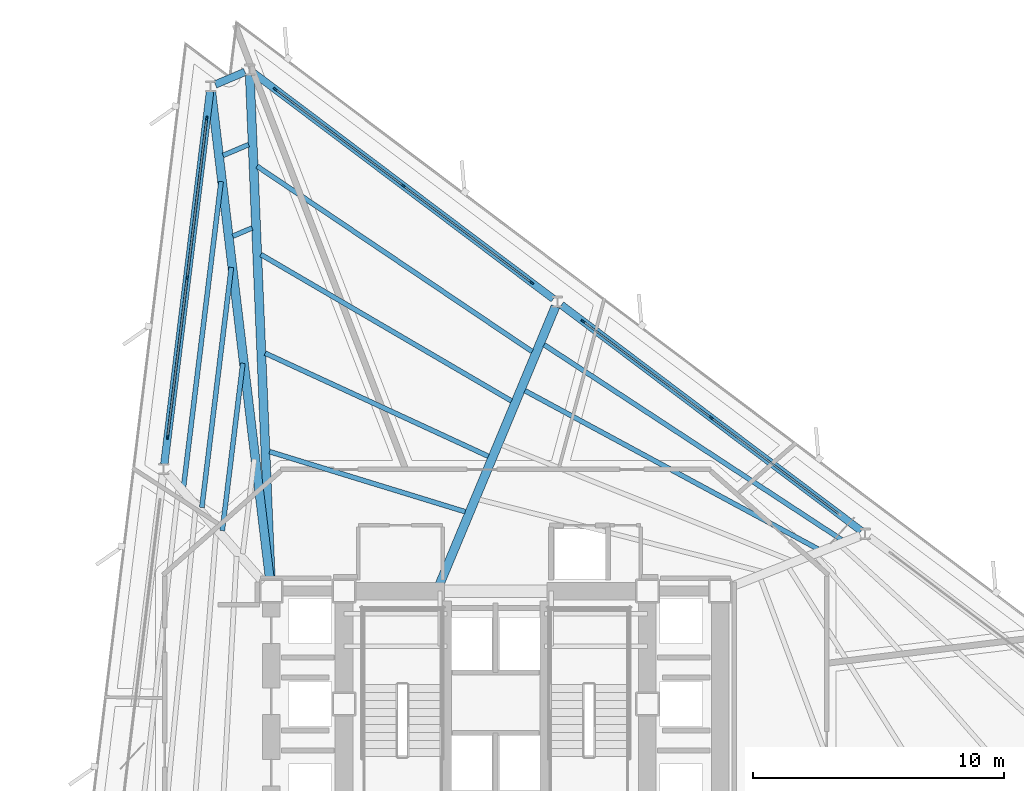
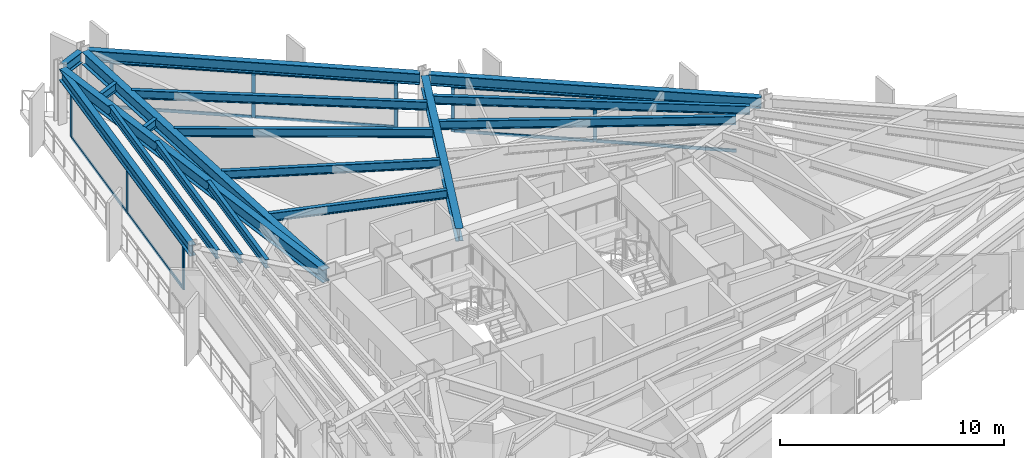
# One storey, part 5 of 13: 20 members, 18 beams, 3 elements without a shape of their own.
"""IFC4 building model written with IfcOpenShell, lengths in metres."""

from ifc_helpers import new_model, si_unit, direction, frame, origin, origin_2d, place, context, subcontext, project, spatial, rectangle, i_section, extrude, material, layer, layer_set, material_profile, profile_set, type_object, element, aggregate, save


model = new_model("IFC4")

# Units and contexts
model_context = context("Model", 3, precision=1e-05, world=origin(), true_north=direction((0.0, 1.0)))
body_context = subcontext(model_context, "Body", "Model", "MODEL_VIEW")
ifc_project = project(units=[si_unit("LENGTHUNIT", "METRE"), si_unit("AREAUNIT", "SQUARE_METRE"), si_unit("VOLUMEUNIT", "CUBIC_METRE"), si_unit("PLANEANGLEUNIT", "RADIAN"), si_unit("MASSUNIT", "GRAM", prefix="KILO")], contexts=[model_context])

# Site, building, storey
site_placement = place(None, origin())
site = spatial("IfcSite", under=ifc_project, at=site_placement, CompositionType="ELEMENT")
building_placement = place(site_placement, origin())
building = spatial("IfcBuilding", under=site, at=building_placement, Name="Rocaltana Carrier Exchange", CompositionType="ELEMENT")
storey_placement = place(building_placement, frame((0.0, 0.0, 63.0400390625)))
storey = spatial("IfcBuildingStorey", under=building, at=storey_placement, Name="L19", CompositionType="ELEMENT", Elevation=63.0400390625)

# Curtain wall, members
ifc_material_1 = material(Name="Aluminium 6063-T6", Category="aluminium")
ifc_layer = layer(ifc_material_1, 0.1650390625)
ifc_layer_set = layer_set([ifc_layer], Name="Aluminium 6063-T6")
curtain_wall_type = type_object("IfcCurtainWallType", Name="Lower-Mid Stepped Curtain Wall CW-02", PredefinedType="NOTDEFINED", material=ifc_layer_set)
curtain_wall_1_placement = place(storey_placement, origin())
curtain_wall_1 = element("IfcCurtainWall", 1, at=curtain_wall_1_placement, inside=storey, type_object=curtain_wall_type, Name="L19 CW-02 Run CW-L19-F1S2", PredefinedType="NOTDEFINED")
ifc_material_2 = material(Name="Aluminium 6063-T6", Category="aluminium")
ifc_material_profile_1 = material_profile(ifc_material_2, rectangle(XDim=0.06494140625, YDim=0.1650390625, at=origin_2d()), Name="AL-65X165")
ifc_profile_set_1 = profile_set([ifc_material_profile_1], Name="Aluminium 6063-T6")
member_type_1 = type_object("IfcMemberType", Name="CW-02 Mullion AL-65X165", PredefinedType="MULLION", material=ifc_profile_set_1)
member_1_placement = place(storey_placement, frame((8.59423828125, 11.405029296875, 0.0), z_axis=(0.0, 0.0, 1.0), x_axis=(-0.601815253533, -0.798635336443, 0.0)))
member_1 = element("IfcMember", 2, at=member_1_placement, type_object=member_type_1, Name="CW-02 mullion 2", PredefinedType="MULLION", context=body_context, shape_type="SweptSolid", body=[
    extrude(rectangle(XDim=0.06494140625, YDim=0.1650390625, at=origin_2d()), origin(), (0.0, 0.0, 1.0), 2.47802734375),
])
member_2_placement = place(storey_placement, frame((3.482421875, 15.257080078125, 0.0), z_axis=(0.0, 0.0, 1.0), x_axis=(-0.601815253533, -0.798635336443, 0.0)))
member_2 = element("IfcMember", 3, at=member_2_placement, type_object=member_type_1, Name="CW-02 mullion 3", PredefinedType="MULLION", context=body_context, shape_type="SweptSolid", body=[
    extrude(rectangle(XDim=0.06494140625, YDim=0.1650390625, at=origin_2d()), origin(), (0.0, 0.0, 1.0), 2.47802734375),
])

curtain_wall_2_placement = place(storey_placement, origin())
curtain_wall_2 = element("IfcCurtainWall", 4, at=curtain_wall_2_placement, inside=storey, type_object=curtain_wall_type, Name="L19 CW-02 Run CW-L19-F1S3", PredefinedType="NOTDEFINED")
member_3_placement = place(storey_placement, frame((1.433837890625, 16.80078125, 0.0), z_axis=(0.0, 0.0, 1.0), x_axis=(-0.601811518049, -0.79863815132, 0.0)))
member_3 = element("IfcMember", 5, at=member_3_placement, type_object=member_type_1, Name="CW-02 mullion 1", PredefinedType="MULLION", context=body_context, shape_type="SweptSolid", body=[
    extrude(rectangle(XDim=0.06494140625, YDim=0.1650390625, at=origin_2d()), origin(), (0.0, 0.0, 1.0), 2.47802734375),
])
member_4_placement = place(storey_placement, frame((-3.677978515625, 20.65283203125, 0.0), z_axis=(0.0, 0.0, 1.0), x_axis=(-0.601811518049, -0.79863815132, 0.0)))
member_4 = element("IfcMember", 6, at=member_4_placement, type_object=member_type_1, Name="CW-02 mullion 2", PredefinedType="MULLION", context=body_context, shape_type="SweptSolid", body=[
    extrude(rectangle(XDim=0.06494140625, YDim=0.1650390625, at=origin_2d()), origin(), (0.0, 0.0, 1.0), 2.47802734375),
])
member_5_placement = place(storey_placement, frame((-8.7900390625, 24.505126953125, 0.0), z_axis=(0.0, 0.0, 1.0), x_axis=(-0.601811518049, -0.79863815132, 0.0)))
member_5 = element("IfcMember", 7, at=member_5_placement, type_object=member_type_1, Name="CW-02 mullion 3", PredefinedType="MULLION", context=body_context, shape_type="SweptSolid", body=[
    extrude(rectangle(XDim=0.06494140625, YDim=0.1650390625, at=origin_2d()), origin(), (0.0, 0.0, 1.0), 2.47802734375),
])

curtain_wall_3_placement = place(storey_placement, origin())
curtain_wall_3 = element("IfcCurtainWall", 8, at=curtain_wall_3_placement, inside=storey, type_object=curtain_wall_type, Name="L19 CW-02 Run CW-L19-F2S1", PredefinedType="NOTDEFINED")
member_6_placement = place(storey_placement, frame((-11.521484375, 23.345703125, 0.0), z_axis=(0.0, 0.0, 1.0), x_axis=(0.992545748051, -0.121872630343, 0.0)))
member_6 = element("IfcMember", 9, at=member_6_placement, type_object=member_type_1, Name="CW-02 mullion 1", PredefinedType="MULLION", context=body_context, shape_type="SweptSolid", body=[
    extrude(rectangle(XDim=0.06494140625, YDim=0.1650390625, at=origin_2d()), origin(), (0.0, 0.0, 1.0), 2.47802734375),
])
member_7_placement = place(storey_placement, frame((-12.301513671875, 16.992431640625, 0.0), z_axis=(0.0, 0.0, 1.0), x_axis=(0.992545748051, -0.121872630343, 0.0)))
member_7 = element("IfcMember", 10, at=member_7_placement, type_object=member_type_1, Name="CW-02 mullion 2", PredefinedType="MULLION", context=body_context, shape_type="SweptSolid", body=[
    extrude(rectangle(XDim=0.06494140625, YDim=0.1650390625, at=origin_2d()), origin(), (0.0, 0.0, 1.0), 2.47802734375),
])
member_8_placement = place(storey_placement, frame((-13.08154296875, 10.639404296875, 0.0), z_axis=(0.0, 0.0, 1.0), x_axis=(0.992545748051, -0.121872630343, 0.0)))
member_8 = element("IfcMember", 11, at=member_8_placement, type_object=member_type_1, Name="CW-02 mullion 3", PredefinedType="MULLION", context=body_context, shape_type="SweptSolid", body=[
    extrude(rectangle(XDim=0.06494140625, YDim=0.1650390625, at=origin_2d()), origin(), (0.0, 0.0, 1.0), 2.47802734375),
])

# Member
ifc_material_3 = material(Name="Aluminium 6063-T6", Category="aluminium")
ifc_material_profile_2 = material_profile(ifc_material_3, rectangle(XDim=0.06494140625, YDim=0.1650390625, at=origin_2d()), Name="AL-65X165")
ifc_profile_set_2 = profile_set([ifc_material_profile_2], Name="Aluminium 6063-T6")
member_type_2 = type_object("IfcMemberType", Name="CW-02 Transom AL-65X165", PredefinedType="USERDEFINED", material=ifc_profile_set_2)
member_9_placement = place(storey_placement, frame((13.68017578125, 7.572509765625, 0.032470703125), z_axis=(-0.798624539829, 0.601829580847, 0.0), x_axis=(-0.601829580847, -0.798624539829, 0.0)))
member_9 = element("IfcMember", 12, at=member_9_placement, type_object=member_type_2, Name="CW-02 transom 1.1", ObjectType="TRANSOM", PredefinedType="USERDEFINED", context=body_context, shape_type="SweptSolid", body=[
    extrude(rectangle(XDim=0.06494140625, YDim=0.1650390625, at=origin_2d()), origin(), (0.0, 0.0, 1.0), 6.335693359375),
])

member_10_placement = place(storey_placement, frame((13.68017578125, 7.572509765625, 2.445556640625), z_axis=(-0.798624539829, 0.601829580847, 0.0), x_axis=(-0.601829580847, -0.798624539829, 0.0)))
member_10 = element("IfcMember", 13, at=member_10_placement, type_object=member_type_2, Name="CW-02 transom 1.2", ObjectType="TRANSOM", PredefinedType="USERDEFINED", context=body_context, shape_type="SweptSolid", body=[
    extrude(rectangle(XDim=0.06494140625, YDim=0.1650390625, at=origin_2d()), origin(), (0.0, 0.0, 1.0), 6.335693359375),
])

member_11_placement = place(storey_placement, frame((8.568359375, 11.424560546875, 0.032470703125), z_axis=(-0.798638496284, 0.601811060261, 0.0), x_axis=(-0.601811060261, -0.798638496284, 0.0)))
member_11 = element("IfcMember", 14, at=member_11_placement, type_object=member_type_2, Name="CW-02 transom 2.1", ObjectType="TRANSOM", PredefinedType="USERDEFINED", context=body_context, shape_type="SweptSolid", body=[
    extrude(rectangle(XDim=0.06494140625, YDim=0.1650390625, at=origin_2d()), origin(), (0.0, 0.0, 1.0), 6.3359375),
])

member_12_placement = place(storey_placement, frame((8.568359375, 11.424560546875, 2.445556640625), z_axis=(-0.798638496284, 0.601811060261, 0.0), x_axis=(-0.601811060261, -0.798638496284, 0.0)))
member_12 = element("IfcMember", 15, at=member_12_placement, type_object=member_type_2, Name="CW-02 transom 2.2", ObjectType="TRANSOM", PredefinedType="USERDEFINED", context=body_context, shape_type="SweptSolid", body=[
    extrude(rectangle(XDim=0.06494140625, YDim=0.1650390625, at=origin_2d()), origin(), (0.0, 0.0, 1.0), 6.3359375),
])

aggregate(curtain_wall_1, [member_1, member_2, member_9, member_10, member_11, member_12])

member_13_placement = place(storey_placement, frame((1.407958984375, 16.8203125, 0.032470703125), z_axis=(-0.798638496284, 0.601811060261, 0.0), x_axis=(-0.601811060261, -0.798638496284, 0.0)))
member_13 = element("IfcMember", 16, at=member_13_placement, type_object=member_type_2, Name="CW-02 transom 1.1", ObjectType="TRANSOM", PredefinedType="USERDEFINED", context=body_context, shape_type="SweptSolid", body=[
    extrude(rectangle(XDim=0.06494140625, YDim=0.1650390625, at=origin_2d()), origin(), (0.0, 0.0, 1.0), 6.3359375),
])

member_14_placement = place(storey_placement, frame((1.407958984375, 16.8203125, 2.445556640625), z_axis=(-0.798638496284, 0.601811060261, 0.0), x_axis=(-0.601811060261, -0.798638496284, 0.0)))
member_14 = element("IfcMember", 17, at=member_14_placement, type_object=member_type_2, Name="CW-02 transom 1.2", ObjectType="TRANSOM", PredefinedType="USERDEFINED", context=body_context, shape_type="SweptSolid", body=[
    extrude(rectangle(XDim=0.06494140625, YDim=0.1650390625, at=origin_2d()), origin(), (0.0, 0.0, 1.0), 6.3359375),
])

member_15_placement = place(storey_placement, frame((-3.703857421875, 20.672607421875, 0.032470703125), z_axis=(-0.798638496284, 0.601811060261, 0.0), x_axis=(-0.601811060261, -0.798638496284, 0.0)))
member_15 = element("IfcMember", 18, at=member_15_placement, type_object=member_type_2, Name="CW-02 transom 2.1", ObjectType="TRANSOM", PredefinedType="USERDEFINED", context=body_context, shape_type="SweptSolid", body=[
    extrude(rectangle(XDim=0.06494140625, YDim=0.1650390625, at=origin_2d()), origin(), (0.0, 0.0, 1.0), 6.3359375),
])

member_16_placement = place(storey_placement, frame((-3.703857421875, 20.672607421875, 2.445556640625), z_axis=(-0.798638496284, 0.601811060261, 0.0), x_axis=(-0.601811060261, -0.798638496284, 0.0)))
member_16 = element("IfcMember", 19, at=member_16_placement, type_object=member_type_2, Name="CW-02 transom 2.2", ObjectType="TRANSOM", PredefinedType="USERDEFINED", context=body_context, shape_type="SweptSolid", body=[
    extrude(rectangle(XDim=0.06494140625, YDim=0.1650390625, at=origin_2d()), origin(), (0.0, 0.0, 1.0), 6.3359375),
])

aggregate(curtain_wall_2, [member_3, member_4, member_5, member_13, member_14, member_15, member_16])

member_17_placement = place(storey_placement, frame((-11.525390625, 23.3134765625, 0.032470703125), z_axis=(-0.12187665048, -0.992545254418, 0.0), x_axis=(0.992545254418, -0.12187665048, 0.0)))
member_17 = element("IfcMember", 20, at=member_17_placement, type_object=member_type_2, Name="CW-02 transom 1.1", ObjectType="TRANSOM", PredefinedType="USERDEFINED", context=body_context, shape_type="SweptSolid", body=[
    extrude(rectangle(XDim=0.06494140625, YDim=0.1650390625, at=origin_2d()), origin(), (0.0, 0.0, 1.0), 6.3359375),
])

member_18_placement = place(storey_placement, frame((-11.525390625, 23.3134765625, 2.445556640625), z_axis=(-0.12187665048, -0.992545254418, 0.0), x_axis=(0.992545254418, -0.12187665048, 0.0)))
member_18 = element("IfcMember", 21, at=member_18_placement, type_object=member_type_2, Name="CW-02 transom 1.2", ObjectType="TRANSOM", PredefinedType="USERDEFINED", context=body_context, shape_type="SweptSolid", body=[
    extrude(rectangle(XDim=0.06494140625, YDim=0.1650390625, at=origin_2d()), origin(), (0.0, 0.0, 1.0), 6.3359375),
])

member_19_placement = place(storey_placement, frame((-12.305419921875, 16.960205078125, 0.032470703125), z_axis=(-0.121881311797, -0.992544682034, 0.0), x_axis=(0.992544682034, -0.121881311797, 0.0)))
member_19 = element("IfcMember", 22, at=member_19_placement, type_object=member_type_2, Name="CW-02 transom 2.1", ObjectType="TRANSOM", PredefinedType="USERDEFINED", context=body_context, shape_type="SweptSolid", body=[
    extrude(rectangle(XDim=0.06494140625, YDim=0.1650390625, at=origin_2d()), origin(), (0.0, 0.0, 1.0), 6.335693359375),
])

member_20_placement = place(storey_placement, frame((-12.305419921875, 16.960205078125, 2.445556640625), z_axis=(-0.121881311797, -0.992544682034, 0.0), x_axis=(0.992544682034, -0.121881311797, 0.0)))
member_20 = element("IfcMember", 23, at=member_20_placement, type_object=member_type_2, Name="CW-02 transom 2.2", ObjectType="TRANSOM", PredefinedType="USERDEFINED", context=body_context, shape_type="SweptSolid", body=[
    extrude(rectangle(XDim=0.06494140625, YDim=0.1650390625, at=origin_2d()), origin(), (0.0, 0.0, 1.0), 6.335693359375),
])

aggregate(curtain_wall_3, [member_6, member_7, member_8, member_17, member_18, member_19, member_20])

# Beams
ifc_material_4 = material(Name="Steel S355", Category="steel")
ifc_material_profile_3 = material_profile(ifc_material_4, i_section(OverallWidth=0.193115234375, OverallDepth=0.466064453125, WebThickness=0.011474609375, FlangeThickness=0.01904296875, FilletRadius=0.013916015625, at=origin_2d()), Name="W18X65")
ifc_profile_set_3 = profile_set([ifc_material_profile_3], Name="Steel S355")
beam_type_1 = type_object("IfcBeamType", Name="Floor Joist W18X65", PredefinedType="JOIST", material=ifc_profile_set_3)
beam_1_placement = place(storey_placement, frame((12.845458984375, 6.17822265625, 2.864990234375), z_axis=(-0.879782188298, 0.475377009493, 0.0), x_axis=(-0.475377009493, -0.879782188298, 0.0)))
element("IfcBeam", 24, at=beam_1_placement, inside=storey, type_object=beam_type_1, Name="FJ-L19-02-3", PredefinedType="JOIST", context=body_context, shape_type="SweptSolid", body=[
    extrude(i_section(OverallWidth=0.193115234375, OverallDepth=0.466064453125, WebThickness=0.011474609375, FlangeThickness=0.01904296875, FilletRadius=0.013916015625, at=origin_2d()), origin(), (0.0, 0.0, 1.0), 13.27490234375),
])
beam_2_placement = place(storey_placement, frame((13.77783203125, 6.5556640625, 2.864990234375), z_axis=(-0.836404193047, 0.548113150593, 0.0), x_axis=(-0.548113150593, -0.836404193047, 0.0)))
element("IfcBeam", 25, at=beam_2_placement, inside=storey, type_object=beam_type_1, Name="FJ-L19-02-4", PredefinedType="JOIST", context=body_context, shape_type="SweptSolid", body=[
    extrude(i_section(OverallWidth=0.193115234375, OverallDepth=0.466064453125, WebThickness=0.011474609375, FlangeThickness=0.01904296875, FilletRadius=0.013916015625, at=origin_2d()), origin(), (0.0, 0.0, 1.0), 14.1669921875),
])
beam_3_placement = place(storey_placement, frame((-1.2158203125, 7.6630859375, 2.864990234375), z_axis=(-0.955945046832, 0.293545682028, 0.0), x_axis=(-0.293545682028, -0.955945046832, 0.0)))
element("IfcBeam", 26, at=beam_3_placement, inside=storey, type_object=beam_type_1, Name="FJ-L19-03-1", PredefinedType="JOIST", context=body_context, shape_type="SweptSolid", body=[
    extrude(i_section(OverallWidth=0.193115234375, OverallDepth=0.466064453125, WebThickness=0.011474609375, FlangeThickness=0.01904296875, FilletRadius=0.013916015625, at=origin_2d()), origin(), (0.0, 0.0, 1.0), 8.1630859375),
])
beam_4_placement = place(storey_placement, frame((-0.2939453125, 9.875244140625, 2.864990234375), z_axis=(-0.907819359588, 0.419361431653, 0.0), x_axis=(-0.419361431653, -0.907819359588, 0.0)))
element("IfcBeam", 27, at=beam_4_placement, inside=storey, type_object=beam_type_1, Name="FJ-L19-03-2", PredefinedType="JOIST", context=body_context, shape_type="SweptSolid", body=[
    extrude(i_section(OverallWidth=0.193115234375, OverallDepth=0.466064453125, WebThickness=0.011474609375, FlangeThickness=0.01904296875, FilletRadius=0.013916015625, at=origin_2d()), origin(), (0.0, 0.0, 1.0), 9.801513671875),
])
beam_5_placement = place(storey_placement, frame((0.627197265625, 12.080322265625, 2.864990234375), z_axis=(-0.863399873856, 0.504520225387, 0.0), x_axis=(-0.504520225387, -0.863399873856, 0.0)))
element("IfcBeam", 28, at=beam_5_placement, inside=storey, type_object=beam_type_1, Name="FJ-L19-03-3", PredefinedType="JOIST", context=body_context, shape_type="SweptSolid", body=[
    extrude(i_section(OverallWidth=0.193115234375, OverallDepth=0.466064453125, WebThickness=0.011474609375, FlangeThickness=0.01904296875, FilletRadius=0.013916015625, at=origin_2d()), origin(), (0.0, 0.0, 1.0), 11.57177734375),
])
beam_6_placement = place(storey_placement, frame((1.450439453125, 14.049560546875, 2.864990234375), z_axis=(-0.829233693301, 0.558902032466, 0.0), x_axis=(-0.558902032466, -0.829233693301, 0.0)))
element("IfcBeam", 29, at=beam_6_placement, inside=storey, type_object=beam_type_1, Name="FJ-L19-03-4", PredefinedType="JOIST", context=body_context, shape_type="SweptSolid", body=[
    extrude(i_section(OverallWidth=0.193115234375, OverallDepth=0.466064453125, WebThickness=0.011474609375, FlangeThickness=0.01904296875, FilletRadius=0.013916015625, at=origin_2d()), origin(), (0.0, 0.0, 1.0), 13.22509765625),
])
beam_7_placement = place(storey_placement, frame((-9.712890625, 18.976806640625, 2.864990234375), z_axis=(-0.92048318346, -0.390782175857, 0.0), x_axis=(0.390782175857, -0.92048318346, 0.0)))
element("IfcBeam", 30, at=beam_7_placement, inside=storey, type_object=beam_type_1, Name="FJ-L19-04-3", PredefinedType="JOIST", context=body_context, shape_type="SweptSolid", body=[
    extrude(i_section(OverallWidth=0.193115234375, OverallDepth=0.466064453125, WebThickness=0.011474609375, FlangeThickness=0.01904296875, FilletRadius=0.013916015625, at=origin_2d()), origin(), (0.0, 0.0, 1.0), 0.83642578125),
])
beam_8_placement = place(storey_placement, frame((-9.85107421875, 22.301025390625, 2.864990234375), z_axis=(-0.920509615817, -0.390719908872, 0.0), x_axis=(0.390719908872, -0.920509615817, 0.0)))
element("IfcBeam", 31, at=beam_8_placement, inside=storey, type_object=beam_type_1, Name="FJ-L19-04-4", PredefinedType="JOIST", context=body_context, shape_type="SweptSolid", body=[
    extrude(i_section(OverallWidth=0.193115234375, OverallDepth=0.466064453125, WebThickness=0.011474609375, FlangeThickness=0.01904296875, FilletRadius=0.013916015625, at=origin_2d()), origin(), (0.0, 0.0, 1.0), 1.10595703125),
])
beam_9_placement = place(storey_placement, frame((-10.081787109375, 13.584228515625, 2.864990234375), z_axis=(-0.121894438401, -0.992543070041, 0.0), x_axis=(0.992543070041, -0.121894438401, 0.0)))
element("IfcBeam", 32, at=beam_9_placement, inside=storey, type_object=beam_type_1, Name="FJ-L19-05-2", PredefinedType="JOIST", context=body_context, shape_type="SweptSolid", body=[
    extrude(i_section(OverallWidth=0.193115234375, OverallDepth=0.466064453125, WebThickness=0.011474609375, FlangeThickness=0.01904296875, FilletRadius=0.013916015625, at=origin_2d()), origin(), (0.0, 0.0, 1.0), 6.7255859375),
])
beam_10_placement = place(storey_placement, frame((-10.540771484375, 17.406982421875, 2.864990234375), z_axis=(-0.121875552726, -0.992545389213, 0.0), x_axis=(0.992545389213, -0.121875552726, 0.0)))
element("IfcBeam", 33, at=beam_10_placement, inside=storey, type_object=beam_type_1, Name="FJ-L19-05-3", PredefinedType="JOIST", context=body_context, shape_type="SweptSolid", body=[
    extrude(i_section(OverallWidth=0.193115234375, OverallDepth=0.466064453125, WebThickness=0.011474609375, FlangeThickness=0.01904296875, FilletRadius=0.013916015625, at=origin_2d()), origin(), (0.0, 0.0, 1.0), 9.6455078125),
])
beam_11_placement = place(storey_placement, frame((-10.951416015625, 20.826904296875, 2.864990234375), z_axis=(-0.121874778131, -0.992545484326, 0.0), x_axis=(0.992545484326, -0.121874778131, 0.0)))
element("IfcBeam", 34, at=beam_11_placement, inside=storey, type_object=beam_type_1, Name="FJ-L19-05-4", PredefinedType="JOIST", context=body_context, shape_type="SweptSolid", body=[
    extrude(i_section(OverallWidth=0.193115234375, OverallDepth=0.466064453125, WebThickness=0.011474609375, FlangeThickness=0.01904296875, FilletRadius=0.013916015625, at=origin_2d()), origin(), (0.0, 0.0, 1.0), 12.257568359375),
])
ifc_material_5 = material(Name="Steel S355", Category="steel")
ifc_material_profile_4 = material_profile(ifc_material_5, i_section(OverallWidth=0.35498046875, OverallDepth=0.695068359375, WebThickness=0.015380859375, FlangeThickness=0.02490234375, FilletRadius=0.01806640625, at=origin_2d()), Name="W27X146")
ifc_profile_set_4 = profile_set([ifc_material_profile_4], Name="Steel S355")
beam_type_2 = type_object("IfcBeamType", Name="Radial Girder W27X146", PredefinedType="BEAM", material=ifc_profile_set_4)
beam_12_placement = place(storey_placement, frame((-2.2568359375, 4.723388671875, 2.75048828125), z_axis=(0.384920391232, 0.922949777839, 0.0), x_axis=(-0.922949777839, 0.384920391232, 0.0)))
element("IfcBeam", 35, at=beam_12_placement, inside=storey, type_object=beam_type_2, Name="RG-L19-03", PredefinedType="BEAM", context=body_context, shape_type="SweptSolid", body=[
    extrude(i_section(OverallWidth=0.35498046875, OverallDepth=0.695068359375, WebThickness=0.015380859375, FlangeThickness=0.02490234375, FilletRadius=0.01806640625, at=origin_2d()), origin(), (0.0, 0.0, 1.0), 12.04833984375),
])
beam_13_placement = place(storey_placement, frame((-8.969482421875, 4.966552734375, 2.75048828125), z_axis=(-0.041557386184, 0.999136118681, 0.0), x_axis=(-0.999136118681, -0.041557386184, 0.0)))
element("IfcBeam", 36, at=beam_13_placement, inside=storey, type_object=beam_type_2, Name="RG-L19-04", PredefinedType="BEAM", context=body_context, shape_type="SweptSolid", body=[
    extrude(i_section(OverallWidth=0.35498046875, OverallDepth=0.695068359375, WebThickness=0.015380859375, FlangeThickness=0.02490234375, FilletRadius=0.01806640625, at=origin_2d()), origin(), (0.0, 0.0, 1.0), 20.126953125),
])
beam_14_placement = place(storey_placement, frame((-9.005615234375, 4.963623046875, 2.75048828125), z_axis=(-0.119198280629, 0.992870469847, 0.0), x_axis=(-0.992870469847, -0.119198280629, 0.0)))
element("IfcBeam", 37, at=beam_14_placement, inside=storey, type_object=beam_type_2, Name="RG-L19-05", PredefinedType="BEAM", context=body_context, shape_type="SweptSolid", body=[
    extrude(i_section(OverallWidth=0.35498046875, OverallDepth=0.695068359375, WebThickness=0.015380859375, FlangeThickness=0.02490234375, FilletRadius=0.01806640625, at=origin_2d()), origin(), (0.0, 0.0, 1.0), 19.594970703125),
])
ifc_material_6 = material(Name="Steel S355", Category="steel")
ifc_material_profile_5 = material_profile(ifc_material_6, i_section(OverallWidth=0.300048828125, OverallDepth=0.60009765625, WebThickness=0.015380859375, FlangeThickness=0.030029296875, FilletRadius=0.027099609375, at=origin_2d()), Name="HEB600")
ifc_profile_set_5 = profile_set([ifc_material_profile_5], Name="Steel S355")
beam_type_3 = type_object("IfcBeamType", Name="Spandrel Edge Beam HEB600", PredefinedType="SPANDREL", material=ifc_profile_set_5)
beam_15_placement = place(storey_placement, frame((14.570068359375, 6.902099609375, 2.7978515625), z_axis=(-0.7986412452, 0.601807412272, 0.0), x_axis=(-0.601807412272, -0.7986412452, 0.0)))
element("IfcBeam", 38, at=beam_15_placement, inside=storey, type_object=beam_type_3, Name="SP-L19-02", PredefinedType="SPANDREL", context=body_context, shape_type="SweptSolid", body=[
    extrude(i_section(OverallWidth=0.300048828125, OverallDepth=0.60009765625, WebThickness=0.015380859375, FlangeThickness=0.030029296875, FilletRadius=0.027099609375, at=origin_2d()), origin(), (0.0, 0.0, 1.0), 14.964599609375),
])
beam_16_placement = place(storey_placement, frame((2.297607421875, 16.14990234375, 2.7978515625), z_axis=(-0.798633404024, 0.601817817929, 0.0), x_axis=(-0.601817817929, -0.798633404024, 0.0)))
element("IfcBeam", 39, at=beam_16_placement, inside=storey, type_object=beam_type_3, Name="SP-L19-03", PredefinedType="SPANDREL", context=body_context, shape_type="SweptSolid", body=[
    extrude(i_section(OverallWidth=0.300048828125, OverallDepth=0.60009765625, WebThickness=0.015380859375, FlangeThickness=0.030029296875, FilletRadius=0.027099609375, at=origin_2d()), origin(), (0.0, 0.0, 1.0), 14.96484375),
])
beam_17_placement = place(storey_placement, frame((-9.999267578125, 25.198486328125, 2.7978515625), z_axis=(-0.920449041694, -0.390862586653, 0.0), x_axis=(0.390862586653, -0.920449041694, 0.0)))
element("IfcBeam", 40, at=beam_17_placement, inside=storey, type_object=beam_type_3, Name="SP-L19-04", PredefinedType="SPANDREL", context=body_context, shape_type="SweptSolid", body=[
    extrude(i_section(OverallWidth=0.300048828125, OverallDepth=0.60009765625, WebThickness=0.015380859375, FlangeThickness=0.030029296875, FilletRadius=0.027099609375, at=origin_2d()), origin(), (0.0, 0.0, 1.0), 1.282958984375),
])
beam_18_placement = place(storey_placement, frame((-11.3896484375, 24.419189453125, 2.7978515625), z_axis=(-0.121867898519, -0.99254632905, 0.0), x_axis=(0.99254632905, -0.121867898519, 0.0)))
element("IfcBeam", 41, at=beam_18_placement, inside=storey, type_object=beam_type_3, Name="SP-L19-05", PredefinedType="SPANDREL", context=body_context, shape_type="SweptSolid", body=[
    extrude(i_section(OverallWidth=0.300048828125, OverallDepth=0.60009765625, WebThickness=0.015380859375, FlangeThickness=0.030029296875, FilletRadius=0.027099609375, at=origin_2d()), origin(), (0.0, 0.0, 1.0), 14.96484375),
])

save(model, "model.ifc")
